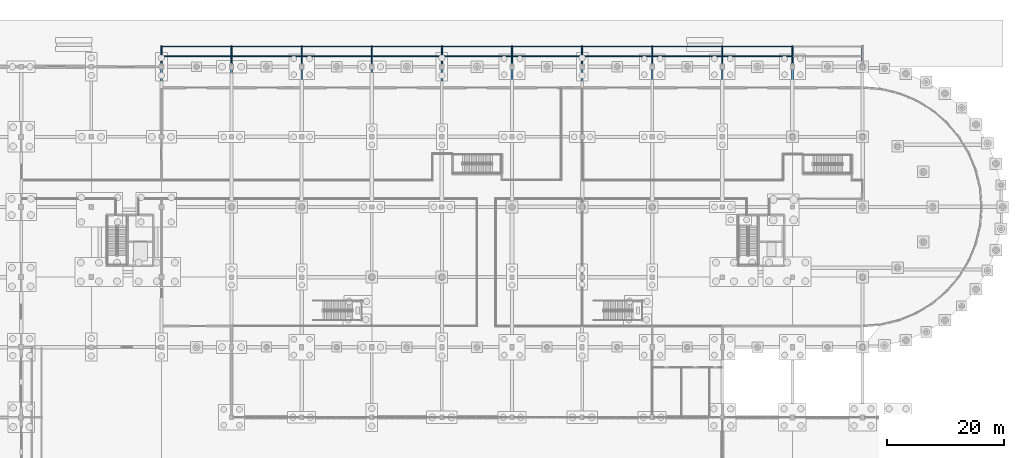
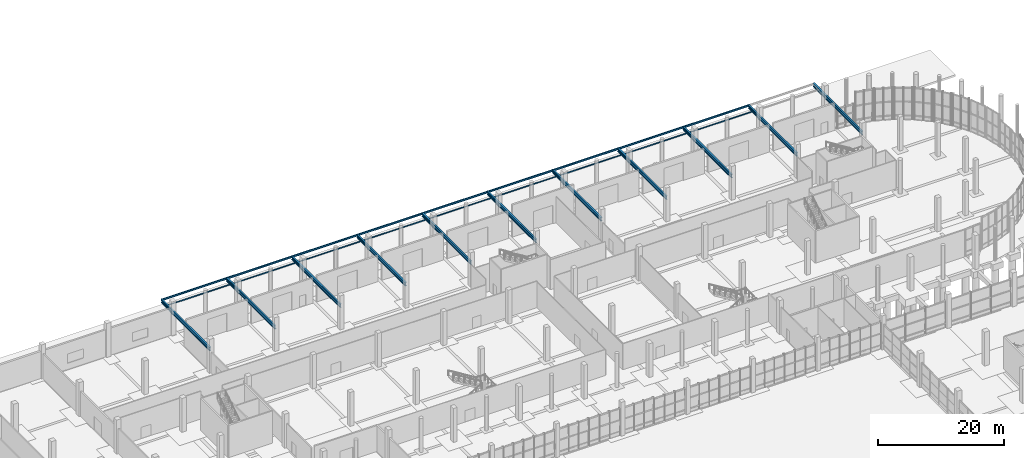
# One storey, part 59 of 117: 20 beams, 19 members.
"""IFC4 building model written with IfcOpenShell, lengths in metres."""

from ifc_helpers import new_model, si_unit, direction, frame, origin, origin_2d, place, context, subcontext, project, spatial, hollow_rectangle, hollow_circle, i_section, extrude, material, material_profile, profile_set, type_object, element, save


model = new_model("IFC4")

# Units and contexts
model_context = context("Model", 3, precision=1e-05, world=origin(), true_north=direction((0.0, 1.0)))
body_context = subcontext(model_context, "Body", "Model", "MODEL_VIEW")
ifc_project = project(units=[si_unit("LENGTHUNIT", "METRE"), si_unit("AREAUNIT", "SQUARE_METRE"), si_unit("VOLUMEUNIT", "CUBIC_METRE"), si_unit("PLANEANGLEUNIT", "RADIAN"), si_unit("MASSUNIT", "GRAM", prefix="KILO")], contexts=[model_context])

# Site, building, storey
site_placement = place(None, origin())
site = spatial("IfcSite", under=ifc_project, at=site_placement, CompositionType="ELEMENT")
building_placement = place(site_placement, origin())
building = spatial("IfcBuilding", under=site, at=building_placement, Name="Kamomehara Wholesale Market", CompositionType="ELEMENT")
storey_placement = place(building_placement, origin())
storey = spatial("IfcBuildingStorey", under=building, at=storey_placement, Name="L00", CompositionType="ELEMENT", Elevation=0.0)

# Beams
ifc_material_1 = material(Name="Steel SN400B", Category="steel")
ifc_material_profile_1 = material_profile(ifc_material_1, i_section(OverallWidth=0.175048828125, OverallDepth=0.35009765625, WebThickness=0.007080078125, FlangeThickness=0.010986328125, FilletRadius=0.012939453125, at=origin_2d()), Name="H-350x175x7x11")
ifc_profile_set_1 = profile_set([ifc_material_profile_1], Name="Steel SN400B")
beam_type_1 = type_object("IfcBeamType", Name="BM-ST-H350-EXT", PredefinedType="JOIST", material=ifc_profile_set_1)
for number, where, z_axis, x_axis, name in (
    (1, (60.0, 159.5, 4.52490234375), (1.0, 0.0, 0.0), (0.0, 1.0, 0.0), "Beam SJ-04E L00"),
    (2, (72.0, 159.5, 4.52490234375), (1.0, 0.0, 0.0), (0.0, 1.0, 0.0), "Beam SJ-04E L00"),
    (3, (84.0, 159.5, 4.52490234375), (1.0, 0.0, 0.0), (0.0, 1.0, 0.0), "Beam SJ-04E L00"),
    (4, (96.0, 159.5, 4.52490234375), (1.0, 0.0, 0.0), (0.0, 1.0, 0.0), "Beam SJ-04E L00"),
    (5, (108.0, 159.5, 4.52490234375), (1.0, 0.0, 0.0), (0.0, 1.0, 0.0), "Beam SJ-04E L00"),
    (6, (120.0, 159.5, 4.52490234375), (1.0, 0.0, 0.0), (0.0, 1.0, 0.0), "Beam SJ-04E L00"),
    (7, (132.0, 159.5, 4.52490234375), (1.0, 0.0, 0.0), (0.0, 1.0, 0.0), "Beam SJ-04E L00"),
    (8, (144.0, 159.5, 4.52490234375), (1.0, 0.0, 0.0), (0.0, 1.0, 0.0), "Beam SJ-04E L00"),
    (9, (156.0, 159.5, 4.52490234375), (1.0, 0.0, 0.0), (0.0, 1.0, 0.0), "Beam SJ-04E L00"),
):
    element("IfcBeam", number, at=place(storey_placement, frame(where, z_axis=z_axis, x_axis=x_axis)), inside=storey, type_object=beam_type_1, Name=name, PredefinedType="JOIST", context=body_context, shape_type="SweptSolid", body=[
        extrude(i_section(OverallWidth=0.175048828125, OverallDepth=0.35009765625, WebThickness=0.007080078125, FlangeThickness=0.010986328125, FilletRadius=0.012939453125, at=origin_2d()), origin(), (0.0, 0.0, 1.0), 12.0),
    ])
ifc_material_2 = material(Name="Steel SN490B", Category="steel")
ifc_material_profile_2 = material_profile(ifc_material_2, i_section(OverallWidth=0.300048828125, OverallDepth=0.69189453125, WebThickness=0.012939453125, FlangeThickness=0.02001953125, FilletRadius=0.02197265625, at=origin_2d()), Name="H-692x300x13x20")
ifc_profile_set_2 = profile_set([ifc_material_profile_2], Name="Steel SN490B")
beam_type_2 = type_object("IfcBeamType", Name="BM-ST-H692-EXT", PredefinedType="BEAM", material=ifc_profile_set_2)
for number, where, z_axis, x_axis, name in (
    (10, (60.0, 144.0, 4.35400390625), (0.0, 1.0, 0.0), (-1.0, 0.0, 0.0), "Beam SG-04E L00"),
    (11, (72.0, 144.0, 4.35400390625), (0.0, 1.0, 0.0), (-1.0, 0.0, 0.0), "Beam SG-04E L00"),
    (12, (84.0, 144.0, 4.35400390625), (0.0, 1.0, 0.0), (-1.0, 0.0, 0.0), "Beam SG-04E L00"),
    (13, (96.0, 144.0, 4.35400390625), (0.0, 1.0, 0.0), (-1.0, 0.0, 0.0), "Beam SG-04E L00"),
    (14, (108.0, 144.0, 4.35400390625), (0.0, 1.0, 0.0), (-1.0, 0.0, 0.0), "Beam SG-04E L00"),
    (15, (120.0, 144.0, 4.35400390625), (0.0, 1.0, 0.0), (-1.0, 0.0, 0.0), "Beam SG-04E L00"),
    (16, (132.0, 144.0, 4.35400390625), (0.0, 1.0, 0.0), (-1.0, 0.0, 0.0), "Beam SG-04E L00"),
    (17, (144.0, 144.0, 4.35400390625), (0.0, 1.0, 0.0), (-1.0, 0.0, 0.0), "Beam SG-04E L00"),
    (18, (156.0, 144.0, 4.35400390625), (0.0, 1.0, 0.0), (-1.0, 0.0, 0.0), "Beam SG-04E L00"),
    (19, (168.0, 144.0, 4.35400390625), (0.0, 1.0, 0.0), (-1.0, 0.0, 0.0), "Beam SG-04E L00"),
    (20, (180.0, 144.0, 4.35400390625), (0.0, 1.0, 0.0), (-1.0, 0.0, 0.0), "Beam SG-04E L00"),
):
    element("IfcBeam", number, at=place(storey_placement, frame(where, z_axis=z_axis, x_axis=x_axis)), inside=storey, type_object=beam_type_2, Name=name, PredefinedType="BEAM", context=body_context, shape_type="SweptSolid", body=[
        extrude(i_section(OverallWidth=0.300048828125, OverallDepth=0.69189453125, WebThickness=0.012939453125, FlangeThickness=0.02001953125, FilletRadius=0.02197265625, at=origin_2d()), origin(), (0.0, 0.0, 1.0), 15.60009765625),
    ])

# Members
ifc_material_3 = material(Name="Steel SN490B", Category="steel")
ifc_material_profile_3 = material_profile(ifc_material_3, hollow_circle(Radius=0.1337890625, WallThickness=0.00927734375, at=origin_2d()), Name="CHS-267.4x9.3")
ifc_profile_set_3 = profile_set([ifc_material_profile_3], Name="Steel SN490B")
member_type_1 = type_object("IfcMemberType", Name="MEM-BR-CHS267", PredefinedType="BRACE", material=ifc_profile_set_3)
for number, where, z_axis, x_axis, name in (
    (21, (60.0, 156.0, 3.85009765625), (0.0, 0.983193660537, 0.182565675527), (-1.0, 0.0, 0.0), "Freight canopy brace V1 60"),
    (22, (72.0, 156.0, 3.85009765625), (0.0, 0.983193660537, 0.182565675527), (-1.0, 0.0, 0.0), "Freight canopy brace V1 72"),
    (23, (84.0, 156.0, 3.85009765625), (0.0, 0.983193660537, 0.182565675527), (-1.0, 0.0, 0.0), "Freight canopy brace V1 84"),
    (24, (96.0, 156.0, 3.85009765625), (0.0, 0.983193660537, 0.182565675527), (-1.0, 0.0, 0.0), "Freight canopy brace V1 96"),
    (25, (108.0, 156.0, 3.85009765625), (0.0, 0.983193660537, 0.182565675527), (-1.0, 0.0, 0.0), "Freight canopy brace V1 108"),
    (26, (120.0, 156.0, 3.85009765625), (0.0, 0.983193660537, 0.182565675527), (-1.0, 0.0, 0.0), "Freight canopy brace V1 120"),
    (27, (132.0, 156.0, 3.85009765625), (0.0, 0.983193660537, 0.182565675527), (-1.0, 0.0, 0.0), "Freight canopy brace V1 132"),
    (28, (144.0, 156.0, 3.85009765625), (0.0, 0.983193660537, 0.182565675527), (-1.0, 0.0, 0.0), "Freight canopy brace V1 144"),
    (29, (156.0, 156.0, 3.85009765625), (0.0, 0.983193660537, 0.182565675527), (-1.0, 0.0, 0.0), "Freight canopy brace V1 156"),
    (30, (168.0, 156.0, 3.85009765625), (0.0, 0.983193660537, 0.182565675527), (-1.0, 0.0, 0.0), "Freight canopy brace V1 168"),
):
    element("IfcMember", number, at=place(storey_placement, frame(where, z_axis=z_axis, x_axis=x_axis)), inside=storey, type_object=member_type_1, Name=name, PredefinedType="BRACE", context=body_context, shape_type="SweptSolid", body=[
        extrude(hollow_circle(Radius=0.1337890625, WallThickness=0.00927734375, at=origin_2d()), origin(), (0.0, 0.0, 1.0), 3.559814453125),
    ])
ifc_material_4 = material(Name="Steel SN400B", Category="steel")
ifc_material_profile_4 = material_profile(ifc_material_4, hollow_rectangle(XDim=0.10009765625, YDim=0.199951171875, WallThickness=0.006103515625, at=origin_2d()), Name="RHS-200x100x6")
ifc_profile_set_4 = profile_set([ifc_material_profile_4], Name="Steel SN400B")
member_type_2 = type_object("IfcMemberType", Name="MEM-PR-RHS200x100", PredefinedType="PURLIN", material=ifc_profile_set_4)
for number, where, z_axis, x_axis, name in (
    (31, (60.0, 157.800048828125, 4.47998046875), (1.0, 0.0, 0.0), (0.0, 1.0, 0.0), "Freight canopy purlin V1 60"),
    (32, (72.0, 157.800048828125, 4.47998046875), (1.0, 0.0, 0.0), (0.0, 1.0, 0.0), "Freight canopy purlin V1 72"),
    (33, (84.0, 157.800048828125, 4.47998046875), (1.0, 0.0, 0.0), (0.0, 1.0, 0.0), "Freight canopy purlin V1 84"),
    (34, (96.0, 157.800048828125, 4.47998046875), (1.0, 0.0, 0.0), (0.0, 1.0, 0.0), "Freight canopy purlin V1 96"),
    (35, (108.0, 157.800048828125, 4.47998046875), (1.0, 0.0, 0.0), (0.0, 1.0, 0.0), "Freight canopy purlin V1 108"),
    (36, (120.0, 157.800048828125, 4.47998046875), (1.0, 0.0, 0.0), (0.0, 1.0, 0.0), "Freight canopy purlin V1 120"),
    (37, (132.0, 157.800048828125, 4.47998046875), (1.0, 0.0, 0.0), (0.0, 1.0, 0.0), "Freight canopy purlin V1 132"),
    (38, (144.0, 157.800048828125, 4.47998046875), (1.0, 0.0, 0.0), (0.0, 1.0, 0.0), "Freight canopy purlin V1 144"),
    (39, (156.0, 157.800048828125, 4.47998046875), (1.0, 0.0, 0.0), (0.0, 1.0, 0.0), "Freight canopy purlin V1 156"),
):
    element("IfcMember", number, at=place(storey_placement, frame(where, z_axis=z_axis, x_axis=x_axis)), inside=storey, type_object=member_type_2, Name=name, PredefinedType="PURLIN", context=body_context, shape_type="SweptSolid", body=[
        extrude(hollow_rectangle(XDim=0.10009765625, YDim=0.199951171875, WallThickness=0.006103515625, at=origin_2d()), origin(), (0.0, 0.0, 1.0), 12.0),
    ])

save(model, "model.ifc")
